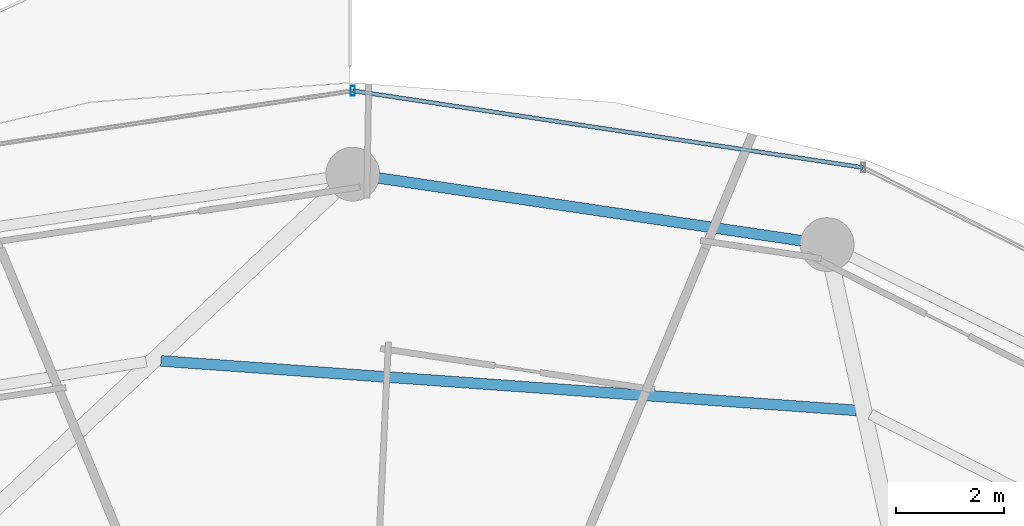
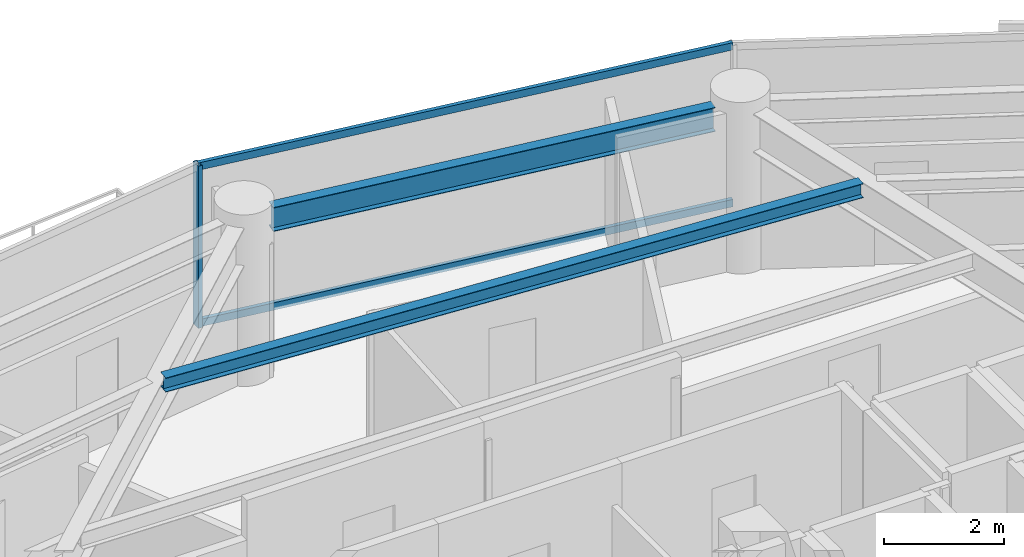
# One storey, part 18 of 29: 3 members, 2 beams, 1 element without a shape of its own.
"""IFC4 building model written with IfcOpenShell, lengths in metres."""

from ifc_helpers import new_model, si_unit, direction, frame, origin, origin_2d, place, context, subcontext, project, spatial, hollow_rectangle, i_section, extrude, material, material_profile, profile_set, type_object, element, aggregate, save


model = new_model("IFC4")

# Units and contexts
model_context = context("Model", 3, precision=1e-05, world=origin(), true_north=direction((0.0, 1.0)))
body_context = subcontext(model_context, "Body", "Model", "MODEL_VIEW")
ifc_project = project(units=[si_unit("LENGTHUNIT", "METRE"), si_unit("AREAUNIT", "SQUARE_METRE"), si_unit("VOLUMEUNIT", "CUBIC_METRE"), si_unit("PLANEANGLEUNIT", "RADIAN"), si_unit("MASSUNIT", "GRAM", prefix="KILO")], contexts=[model_context])

# Site, building, storey
site_placement = place(None, origin())
site = spatial("IfcSite", under=ifc_project, at=site_placement, CompositionType="ELEMENT")
building_placement = place(site_placement, origin())
building = spatial("IfcBuilding", under=site, at=building_placement, Name="Vorneva Point Tower", CompositionType="ELEMENT")
storey_placement = place(building_placement, frame((0.0, 0.0, 167.60009765625)))
storey = spatial("IfcBuildingStorey", under=building, at=storey_placement, Name="L45", CompositionType="ELEMENT", Elevation=167.60009765625)

# Beams
ifc_material_1 = material(Name="Steel S355", Category="steel")
ifc_material_profile_1 = material_profile(ifc_material_1, i_section(OverallWidth=0.199951171875, OverallDepth=0.291015625, WebThickness=0.008056640625, FlangeThickness=0.010986328125, at=origin_2d()), Name="30Sh1")
ifc_profile_set_1 = profile_set([ifc_material_profile_1], Name="Steel S355")
beam_type_1 = type_object("IfcBeamType", Name="BM-SEC-30Sh1", PredefinedType="BEAM", material=ifc_profile_set_1)
beam_1_placement = place(storey_placement, frame((47.3662109375, 38.806396484375, 3.094482421875), z_axis=(-0.997475780463, 0.071007516435, 0.0), x_axis=(-0.071007516435, -0.997475780463, 0.0)))
element("IfcBeam", 1, at=beam_1_placement, inside=storey, type_object=beam_type_1, Name="L45 Secondary Floor Beam 1.04", PredefinedType="BEAM", context=body_context, shape_type="SweptSolid", body=[
    extrude(i_section(OverallWidth=0.199951171875, OverallDepth=0.291015625, WebThickness=0.008056640625, FlangeThickness=0.010986328125, at=origin_2d()), origin(), (0.0, 0.0, 1.0), 12.965576171875),
])
ifc_material_profile_2 = material_profile(ifc_material_1, i_section(OverallWidth=0.199951171875, OverallDepth=0.491943359375, WebThickness=0.0087890625, FlangeThickness=0.011962890625, at=origin_2d()), Name="50B1")
ifc_profile_set_2 = profile_set([ifc_material_profile_2], Name="Steel S355")
beam_type_2 = type_object("IfcBeamType", Name="BM-SPN-50B1", PredefinedType="SPANDREL", material=ifc_profile_set_2)
beam_2_placement = place(storey_placement, frame((46.34130859375, 41.9619140625, 2.993896484375), z_axis=(-0.989161199046, 0.146833655211, 0.0), x_axis=(-0.146833655211, -0.989161199046, 0.0)))
element("IfcBeam", 2, at=beam_2_placement, inside=storey, type_object=beam_type_2, Name="L45 Perimeter Spandrel Ring Beam 04", PredefinedType="SPANDREL", context=body_context, shape_type="SweptSolid", body=[
    extrude(i_section(OverallWidth=0.199951171875, OverallDepth=0.491943359375, WebThickness=0.0087890625, FlangeThickness=0.011962890625, at=origin_2d()), origin(), (0.0, 0.0, 1.0), 7.94775390625),
])

# Curtain wall, members
ifc_material_2 = material(Name="Pale anodised aluminium", Category="aluminium")
curtain_wall_type = type_object("IfcCurtainWallType", Name="CW-RES-SYS", PredefinedType="NOTDEFINED", material=ifc_material_2)
curtain_wall_placement = place(storey_placement, origin())
curtain_wall = element("IfcCurtainWall", 3, at=curtain_wall_placement, inside=storey, type_object=curtain_wall_type, Name="L45 Unitised Curtain Wall CW-L45-R02", PredefinedType="NOTDEFINED")
ifc_material_profile_3 = material_profile(ifc_material_2, hollow_rectangle(XDim=0.074951171875, YDim=0.179931640625, WallThickness=0.00390625, at=origin_2d()), Name="AL-MUL 180x75x4")
ifc_profile_set_3 = profile_set([ifc_material_profile_3], Name="Pale anodised aluminium")
member_type_1 = type_object("IfcMemberType", Name="CW-MUL-180", PredefinedType="MULLION", material=ifc_profile_set_3)
member_1_placement = place(storey_placement, frame((38.0, 44.75, -0.0400390625), z_axis=(0.0, 0.0, 1.0), x_axis=(1.0, 0.0, 0.0)))
member_1 = element("IfcMember", 4, at=member_1_placement, type_object=member_type_1, Name="CW-L45-R02 Mullion 03", PredefinedType="MULLION", context=body_context, shape_type="SweptSolid", body=[
    extrude(hollow_rectangle(XDim=0.074951171875, YDim=0.179931640625, WallThickness=0.00390625, at=origin_2d()), origin(), (0.0, 0.0, 1.0), 3.31005859375),
])
ifc_material_profile_4 = material_profile(ifc_material_2, hollow_rectangle(XDim=0.074951171875, YDim=0.14990234375, WallThickness=0.00390625, at=origin_2d()), Name="AL-TRN 150x75x4")
ifc_profile_set_4 = profile_set([ifc_material_profile_4], Name="Pale anodised aluminium")
member_type_2 = type_object("IfcMemberType", Name="CW-TRN-150", PredefinedType="USERDEFINED", material=ifc_profile_set_4)
member_2_placement = place(storey_placement, frame((47.490478515625, 43.32275390625, 0.02001953125), z_axis=(-0.988880117727, 0.148714870687, 0.0), x_axis=(-0.148714870687, -0.988880117727, 0.0)))
member_2 = element("IfcMember", 5, at=member_2_placement, type_object=member_type_2, Name="CW-L45-R02 Transom 02.1", ObjectType="TRANSOM", PredefinedType="USERDEFINED", context=body_context, shape_type="SweptSolid", body=[
    extrude(hollow_rectangle(XDim=0.074951171875, YDim=0.14990234375, WallThickness=0.00390625, at=origin_2d()), origin(), (0.0, 0.0, 1.0), 9.59716796875),
])
member_3_placement = place(storey_placement, frame((47.490478515625, 43.32275390625, 3.219970703125), z_axis=(-0.988880117727, 0.148714870687, 0.0), x_axis=(-0.148714870687, -0.988880117727, 0.0)))
member_3 = element("IfcMember", 6, at=member_3_placement, type_object=member_type_2, Name="CW-L45-R02 Transom 02.2", ObjectType="TRANSOM", PredefinedType="USERDEFINED", context=body_context, shape_type="SweptSolid", body=[
    extrude(hollow_rectangle(XDim=0.074951171875, YDim=0.14990234375, WallThickness=0.00390625, at=origin_2d()), origin(), (0.0, 0.0, 1.0), 9.59716796875),
])
aggregate(curtain_wall, [member_1, member_2, member_3])

save(model, "model.ifc")
